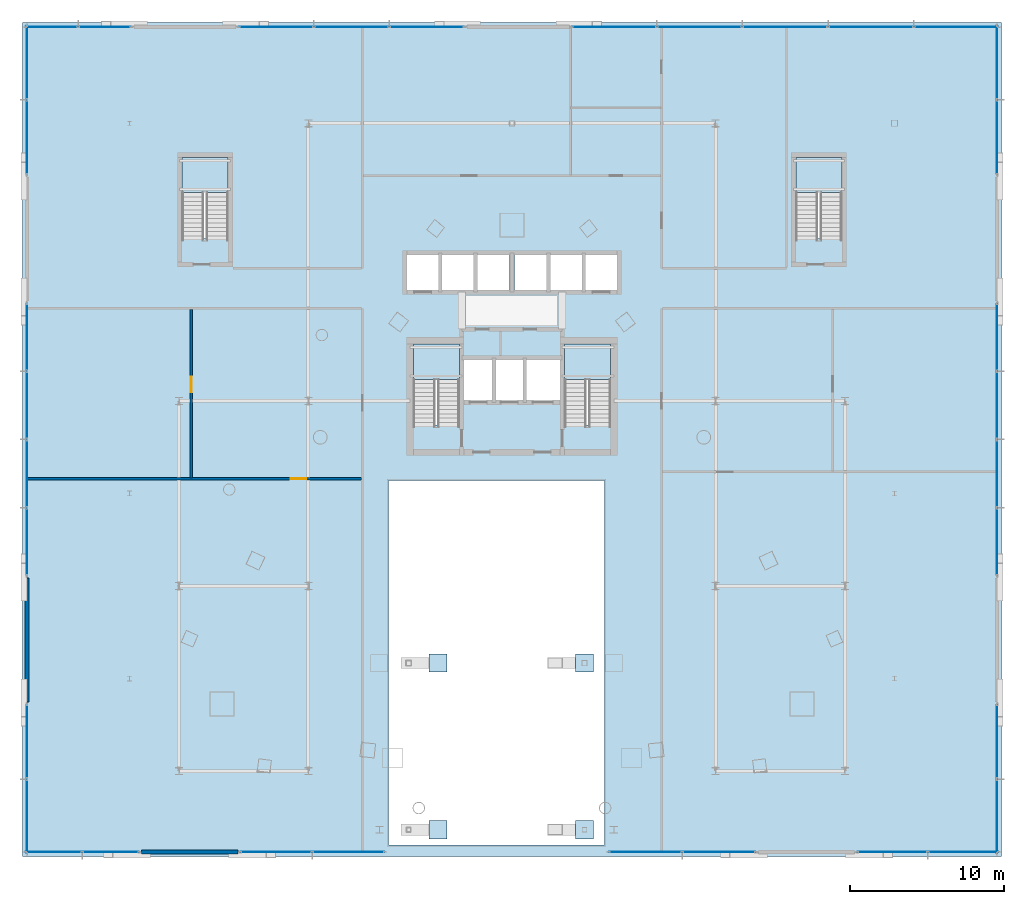
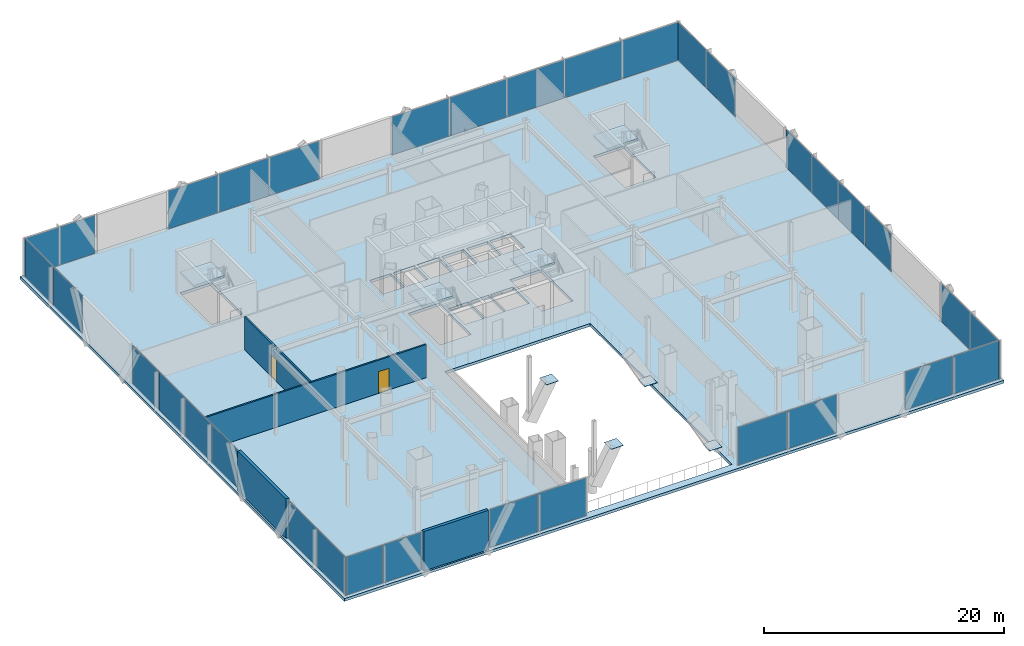
# One storey, part 32 of 42: 38 plates, 5 slabs, 4 walls, 2 doors, 2 openings, 17 elements without a shape of their own.
"""IFC4 building model written with IfcOpenShell, lengths in metres."""

from ifc_helpers import new_model, si_unit, direction, frame, frame_2d, origin, origin_2d, place, context, subcontext, project, spatial, polyline, rectangle, outline, extrude, material, layer, layer_set, type_object, element, fill, aggregate, save


model = new_model("IFC4")

# Units and contexts
model_context = context("Model", 3, precision=1e-05, world=origin(), true_north=direction((0.0, 1.0)))
body_context = subcontext(model_context, "Body", "Model", "MODEL_VIEW")
ifc_project = project(units=[si_unit("LENGTHUNIT", "METRE"), si_unit("AREAUNIT", "SQUARE_METRE"), si_unit("VOLUMEUNIT", "CUBIC_METRE"), si_unit("PLANEANGLEUNIT", "RADIAN"), si_unit("MASSUNIT", "GRAM", prefix="KILO")], contexts=[model_context])

# Site, building, storey
site_placement = place(None, origin())
site = spatial("IfcSite", under=ifc_project, at=site_placement, CompositionType="ELEMENT")
building_placement = place(site_placement, origin())
building = spatial("IfcBuilding", under=site, at=building_placement, Name="Orvanel Arch Residences", CompositionType="ELEMENT")
storey_placement = place(building_placement, frame((0.0, 0.0, 5.5)))
storey = spatial("IfcBuildingStorey", under=building, at=storey_placement, Name="L01", CompositionType="ELEMENT", Elevation=5.5)

# Plates
ifc_material_1 = material(Name="Structural steel AS/NZS 3678 Grade 350", Category="steel")
ifc_layer_1 = layer(ifc_material_1, 0.028076171875)
ifc_layer_set_1 = layer_set([ifc_layer_1], Name="Structural steel AS/NZS 3678 Grade 350")
plate_type_1 = type_object("IfcPlateType", Name="PL-CAP-28", PredefinedType="SHEET", material=ifc_layer_set_1)
for number, where, z_axis, x_axis, name in (
    (1, (28.199951171875, 13.0, 5.2490234375), (0.0, 0.0, 1.0), (1.0, 0.0, 0.0), "L01 hollow member end cap plate"),
    (2, (37.699951171875, 13.0, 1.76416015625), (0.0, 0.0, 1.0), (1.0, 0.0, 0.0), "L01 hollow member end cap plate"),
):
    element("IfcPlate", number, at=place(storey_placement, frame(where, z_axis=z_axis, x_axis=x_axis)), inside=storey, type_object=plate_type_1, Name=name, PredefinedType="SHEET", context=body_context, shape_type="SweptSolid", body=[
        extrude(rectangle(XDim=1.179931640625, YDim=1.179931640625, at=origin_2d()), origin(), (0.0, 0.0, 1.0), 0.028076171875),
    ])
ifc_layer_2 = layer(ifc_material_1, 0.031982421875)
ifc_layer_set_2 = layer_set([ifc_layer_2], Name="Structural steel AS/NZS 3678 Grade 350")
plate_type_2 = type_object("IfcPlateType", Name="PL-CAP-32", PredefinedType="SHEET", material=ifc_layer_set_2)
for number, where, z_axis, x_axis, name in (
    (3, (28.199951171875, 2.199951171875, 5.2470703125), (0.0, 0.0, 1.0), (1.0, 0.0, 0.0), "L01 hollow member end cap plate"),
    (4, (37.699951171875, 2.199951171875, 1.76220703125), (0.0, 0.0, 1.0), (1.0, 0.0, 0.0), "L01 hollow member end cap plate"),
):
    element("IfcPlate", number, at=place(storey_placement, frame(where, z_axis=z_axis, x_axis=x_axis)), inside=storey, type_object=plate_type_2, Name=name, PredefinedType="SHEET", context=body_context, shape_type="SweptSolid", body=[
        extrude(rectangle(XDim=1.179931640625, YDim=1.179931640625, at=origin_2d()), origin(), (0.0, 0.0, 1.0), 0.031982421875),
    ])

# Curtain wall, plates
ifc_material_2 = material(Name="Bronze-anodised aluminium AA6063-T6", Category="aluminium")
ifc_layer_3 = layer(ifc_material_2, 0.199951171875)
ifc_layer_set_3 = layer_set([ifc_layer_3], Name="Bronze-anodised aluminium AA6063-T6")
curtain_wall_type = type_object("IfcCurtainWallType", Name="CW1-POD-SYS", PredefinedType="NOTDEFINED", material=ifc_layer_set_3)
curtain_wall_1_placement = place(storey_placement, origin())
curtain_wall_1 = element("IfcCurtainWall", 5, at=curtain_wall_1_placement, inside=storey, type_object=curtain_wall_type, Name="L01 CW1-POD-SYS Unitised Curtain Wall", PredefinedType="NOTDEFINED")
ifc_material_3 = material(Name="Double-glazed solar-control low-E safety glass", Category="glass")
ifc_layer_4 = layer(ifc_material_3, 0.031982421875)
ifc_layer_set_4 = layer_set([ifc_layer_4], Name="Double-glazed solar-control low-E safety glass")
plate_type_3 = type_object("IfcPlateType", Name="PNL-GLZ-32", PredefinedType="CURTAIN_PANEL", material=ifc_layer_set_4)
plate_1_placement = place(storey_placement, frame((3.291259765625, 0.75, 0.06494140625), z_axis=(0.0, 0.0, 1.0), x_axis=(1.0, 0.0, 0.0)))
plate_1 = element("IfcPlate", 6, at=plate_1_placement, type_object=plate_type_3, Name="CW-S1 panel 1.1", PredefinedType="CURTAIN_PANEL", context=body_context, shape_type="SweptSolid", body=[
    extrude(rectangle(XDim=3.612548828125, YDim=0.031982421875, at=origin_2d()), origin(), (0.0, 0.0, 1.0), 3.889892578125),
])
plate_2_placement = place(storey_placement, frame((6.978759765625, 0.75, 0.06494140625), z_axis=(0.0, 0.0, 1.0), x_axis=(1.0, 0.0, 0.0)))
plate_2 = element("IfcPlate", 7, at=plate_2_placement, type_object=plate_type_3, Name="CW-S1 panel 2.1", PredefinedType="CURTAIN_PANEL", context=body_context, shape_type="SweptSolid", body=[
    extrude(rectangle(XDim=3.612548828125, YDim=0.031982421875, at=origin_2d()), origin(), (0.0, 0.0, 1.0), 3.889892578125),
])
aggregate(curtain_wall_1, [plate_1, plate_2])

curtain_wall_2_placement = place(storey_placement, origin())
curtain_wall_2 = element("IfcCurtainWall", 8, at=curtain_wall_2_placement, inside=storey, type_object=curtain_wall_type, Name="L01 CW1-POD-SYS Unitised Curtain Wall", PredefinedType="NOTDEFINED")
plate_3_placement = place(storey_placement, frame((17.71875, 0.75, 0.06494140625), z_axis=(0.0, 0.0, 1.0), x_axis=(1.0, 0.0, 0.0)))
plate_3 = element("IfcPlate", 9, at=plate_3_placement, type_object=plate_type_3, Name="CW-S1 panel 1.1", PredefinedType="CURTAIN_PANEL", context=body_context, shape_type="SweptSolid", body=[
    extrude(rectangle(XDim=4.607421875, YDim=0.031982421875, at=origin_2d()), origin(), (0.0, 0.0, 1.0), 3.889892578125),
])
plate_4_placement = place(storey_placement, frame((22.4013671875, 0.75, 0.06494140625), z_axis=(0.0, 0.0, 1.0), x_axis=(1.0, 0.0, 0.0)))
plate_4 = element("IfcPlate", 10, at=plate_4_placement, type_object=plate_type_3, Name="CW-S1 panel 2.1", PredefinedType="CURTAIN_PANEL", context=body_context, shape_type="SweptSolid", body=[
    extrude(rectangle(XDim=4.607421875, YDim=0.031982421875, at=origin_2d()), origin(), (0.0, 0.0, 1.0), 3.889892578125),
])
aggregate(curtain_wall_2, [plate_3, plate_4])

curtain_wall_3_placement = place(storey_placement, origin())
curtain_wall_3 = element("IfcCurtainWall", 11, at=curtain_wall_3_placement, inside=storey, type_object=curtain_wall_type, Name="L01 CW1-POD-SYS Unitised Curtain Wall", PredefinedType="NOTDEFINED")
plate_5_placement = place(storey_placement, frame((41.648681640625, 0.75, 0.06494140625), z_axis=(0.0, 0.0, 1.0), x_axis=(1.0, 0.0, 0.0)))
plate_5 = element("IfcPlate", 12, at=plate_5_placement, type_object=plate_type_3, Name="CW-S1 panel 1.1", PredefinedType="CURTAIN_PANEL", context=body_context, shape_type="SweptSolid", body=[
    extrude(rectangle(XDim=4.70751953125, YDim=0.031982421875, at=origin_2d()), origin(), (0.0, 0.0, 1.0), 3.889892578125),
])
plate_6_placement = place(storey_placement, frame((46.43115234375, 0.75, 0.06494140625), z_axis=(0.0, 0.0, 1.0), x_axis=(1.0, 0.0, 0.0)))
plate_6 = element("IfcPlate", 13, at=plate_6_placement, type_object=plate_type_3, Name="CW-S1 panel 2.1", PredefinedType="CURTAIN_PANEL", context=body_context, shape_type="SweptSolid", body=[
    extrude(rectangle(XDim=4.70751953125, YDim=0.031982421875, at=origin_2d()), origin(), (0.0, 0.0, 1.0), 3.889892578125),
])
aggregate(curtain_wall_3, [plate_5, plate_6])

curtain_wall_4_placement = place(storey_placement, origin())
curtain_wall_4 = element("IfcCurtainWall", 14, at=curtain_wall_4_placement, inside=storey, type_object=curtain_wall_type, Name="L01 CW1-POD-SYS Unitised Curtain Wall", PredefinedType="NOTDEFINED")
plate_7_placement = place(storey_placement, frame((57.671142578125, 0.75, 0.06494140625), z_axis=(0.0, 0.0, 1.0), x_axis=(1.0, 0.0, 0.0)))
plate_7 = element("IfcPlate", 15, at=plate_7_placement, type_object=plate_type_3, Name="CW-S1 panel 1.1", PredefinedType="CURTAIN_PANEL", context=body_context, shape_type="SweptSolid", body=[
    extrude(rectangle(XDim=4.512451171875, YDim=0.031982421875, at=origin_2d()), origin(), (0.0, 0.0, 1.0), 3.889892578125),
])
plate_8_placement = place(storey_placement, frame((62.2587890625, 0.75, 0.06494140625), z_axis=(0.0, 0.0, 1.0), x_axis=(1.0, 0.0, 0.0)))
plate_8 = element("IfcPlate", 16, at=plate_8_placement, type_object=plate_type_3, Name="CW-S1 panel 2.1", PredefinedType="CURTAIN_PANEL", context=body_context, shape_type="SweptSolid", body=[
    extrude(rectangle(XDim=4.512451171875, YDim=0.031982421875, at=origin_2d()), origin(), (0.0, 0.0, 1.0), 3.889892578125),
])
aggregate(curtain_wall_4, [plate_7, plate_8])

curtain_wall_5_placement = place(storey_placement, origin())
curtain_wall_5 = element("IfcCurtainWall", 17, at=curtain_wall_5_placement, inside=storey, type_object=curtain_wall_type, Name="L01 CW1-POD-SYS Unitised Curtain Wall", PredefinedType="NOTDEFINED")
plate_9_placement = place(storey_placement, frame((61.796142578125, 54.25, 0.06494140625), z_axis=(0.0, 0.0, 1.0), x_axis=(-1.0, 0.0, 0.0)))
plate_9 = element("IfcPlate", 18, at=plate_9_placement, type_object=plate_type_3, Name="CW-S1 panel 1.1", PredefinedType="CURTAIN_PANEL", context=body_context, shape_type="SweptSolid", body=[
    extrude(rectangle(XDim=5.4375, YDim=0.031982421875, at=origin_2d()), origin(), (0.0, 0.0, 1.0), 3.889892578125),
])
plate_10_placement = place(storey_placement, frame((56.264892578125, 54.25, 0.06494140625), z_axis=(0.0, 0.0, 1.0), x_axis=(-1.0, 0.0, 0.0)))
plate_10 = element("IfcPlate", 19, at=plate_10_placement, type_object=plate_type_3, Name="CW-S1 panel 2.1", PredefinedType="CURTAIN_PANEL", context=body_context, shape_type="SweptSolid", body=[
    extrude(rectangle(XDim=5.47509765625, YDim=0.031982421875, at=origin_2d()), origin(), (0.0, 0.0, 1.0), 3.889892578125),
])
plate_11_placement = place(storey_placement, frame((50.715087890625, 54.25, 0.06494140625), z_axis=(0.0, 0.0, 1.0), x_axis=(-1.0, 0.0, 0.0)))
plate_11 = element("IfcPlate", 20, at=plate_11_placement, type_object=plate_type_3, Name="CW-S1 panel 3.1", PredefinedType="CURTAIN_PANEL", context=body_context, shape_type="SweptSolid", body=[
    extrude(rectangle(XDim=5.47509765625, YDim=0.031982421875, at=origin_2d()), origin(), (0.0, 0.0, 1.0), 3.889892578125),
])
plate_12_placement = place(storey_placement, frame((45.1650390625, 54.25, 0.06494140625), z_axis=(0.0, 0.0, 1.0), x_axis=(-1.0, 0.0, 0.0)))
plate_12 = element("IfcPlate", 21, at=plate_12_placement, type_object=plate_type_3, Name="CW-S1 panel 4.1", PredefinedType="CURTAIN_PANEL", context=body_context, shape_type="SweptSolid", body=[
    extrude(rectangle(XDim=5.47509765625, YDim=0.031982421875, at=origin_2d()), origin(), (0.0, 0.0, 1.0), 3.889892578125),
])
plate_13_placement = place(storey_placement, frame((39.6337890625, 54.25, 0.06494140625), z_axis=(0.0, 0.0, 1.0), x_axis=(-1.0, 0.0, 0.0)))
plate_13 = element("IfcPlate", 22, at=plate_13_placement, type_object=plate_type_3, Name="CW-S1 panel 5.1", PredefinedType="CURTAIN_PANEL", context=body_context, shape_type="SweptSolid", body=[
    extrude(rectangle(XDim=5.4375, YDim=0.031982421875, at=origin_2d()), origin(), (0.0, 0.0, 1.0), 3.889892578125),
])
aggregate(curtain_wall_5, [plate_9, plate_10, plate_11, plate_12, plate_13])

curtain_wall_6_placement = place(storey_placement, origin())
curtain_wall_6 = element("IfcCurtainWall", 23, at=curtain_wall_6_placement, inside=storey, type_object=curtain_wall_type, Name="L01 CW1-POD-SYS Unitised Curtain Wall", PredefinedType="NOTDEFINED")
plate_14_placement = place(storey_placement, frame((27.488037109375, 54.25, 0.06494140625), z_axis=(0.0, 0.0, 1.0), x_axis=(-1.0, 0.0, 0.0)))
plate_14 = element("IfcPlate", 24, at=plate_14_placement, type_object=plate_type_3, Name="CW-S1 panel 1.1", PredefinedType="CURTAIN_PANEL", context=body_context, shape_type="SweptSolid", body=[
    extrude(rectangle(XDim=4.794189453125, YDim=0.031982421875, at=origin_2d()), origin(), (0.0, 0.0, 1.0), 3.889892578125),
])
plate_15_placement = place(storey_placement, frame((22.60009765625, 54.25, 0.06494140625), z_axis=(0.0, 0.0, 1.0), x_axis=(-1.0, 0.0, 0.0)))
plate_15 = element("IfcPlate", 25, at=plate_15_placement, type_object=plate_type_3, Name="CW-S1 panel 2.1", PredefinedType="CURTAIN_PANEL", context=body_context, shape_type="SweptSolid", body=[
    extrude(rectangle(XDim=4.831787109375, YDim=0.031982421875, at=origin_2d()), origin(), (0.0, 0.0, 1.0), 3.889892578125),
])
plate_16_placement = place(storey_placement, frame((17.712158203125, 54.25, 0.06494140625), z_axis=(0.0, 0.0, 1.0), x_axis=(-1.0, 0.0, 0.0)))
plate_16 = element("IfcPlate", 26, at=plate_16_placement, type_object=plate_type_3, Name="CW-S1 panel 3.1", PredefinedType="CURTAIN_PANEL", context=body_context, shape_type="SweptSolid", body=[
    extrude(rectangle(XDim=4.794189453125, YDim=0.031982421875, at=origin_2d()), origin(), (0.0, 0.0, 1.0), 3.889892578125),
])
aggregate(curtain_wall_6, [plate_14, plate_15, plate_16])

curtain_wall_7_placement = place(storey_placement, origin())
curtain_wall_7 = element("IfcCurtainWall", 27, at=curtain_wall_7_placement, inside=storey, type_object=curtain_wall_type, Name="L01 CW1-POD-SYS Unitised Curtain Wall", PredefinedType="NOTDEFINED")
plate_17_placement = place(storey_placement, frame((6.603759765625, 54.25, 0.06494140625), z_axis=(0.0, 0.0, 1.0), x_axis=(-1.0, 0.0, 0.0)))
plate_17 = element("IfcPlate", 28, at=plate_17_placement, type_object=plate_type_3, Name="CW-S1 panel 1.1", PredefinedType="CURTAIN_PANEL", context=body_context, shape_type="SweptSolid", body=[
    extrude(rectangle(XDim=3.362548828125, YDim=0.031982421875, at=origin_2d()), origin(), (0.0, 0.0, 1.0), 3.889892578125),
])
plate_18_placement = place(storey_placement, frame((3.166259765625, 54.25, 0.06494140625), z_axis=(0.0, 0.0, 1.0), x_axis=(-1.0, 0.0, 0.0)))
plate_18 = element("IfcPlate", 29, at=plate_18_placement, type_object=plate_type_3, Name="CW-S1 panel 2.1", PredefinedType="CURTAIN_PANEL", context=body_context, shape_type="SweptSolid", body=[
    extrude(rectangle(XDim=3.362548828125, YDim=0.031982421875, at=origin_2d()), origin(), (0.0, 0.0, 1.0), 3.889892578125),
])
aggregate(curtain_wall_7, [plate_17, plate_18])

curtain_wall_8_placement = place(storey_placement, origin())
curtain_wall_8 = element("IfcCurtainWall", 30, at=curtain_wall_8_placement, inside=storey, type_object=curtain_wall_type, Name="L01 CW1-POD-SYS Unitised Curtain Wall", PredefinedType="NOTDEFINED")
plate_19_placement = place(storey_placement, frame((64.449951171875, 3.066162109375, 0.06494140625), z_axis=(0.0, 0.0, 1.0), x_axis=(0.0, 1.0, 0.0)))
plate_19 = element("IfcPlate", 31, at=plate_19_placement, type_object=plate_type_3, Name="CW-S1 panel 1.1", PredefinedType="CURTAIN_PANEL", context=body_context, shape_type="SweptSolid", body=[
    extrude(rectangle(XDim=4.762451171875, YDim=0.031982421875, at=origin_2d()), origin(), (0.0, 0.0, 1.0), 3.889892578125),
])
plate_20_placement = place(storey_placement, frame((64.449951171875, 7.90380859375, 0.06494140625), z_axis=(0.0, 0.0, 1.0), x_axis=(0.0, 1.0, 0.0)))
plate_20 = element("IfcPlate", 32, at=plate_20_placement, type_object=plate_type_3, Name="CW-S1 panel 2.1", PredefinedType="CURTAIN_PANEL", context=body_context, shape_type="SweptSolid", body=[
    extrude(rectangle(XDim=4.762451171875, YDim=0.031982421875, at=origin_2d()), origin(), (0.0, 0.0, 1.0), 3.889892578125),
])
aggregate(curtain_wall_8, [plate_19, plate_20])

curtain_wall_9_placement = place(storey_placement, origin())
curtain_wall_9 = element("IfcCurtainWall", 33, at=curtain_wall_9_placement, inside=storey, type_object=curtain_wall_type, Name="L01 CW1-POD-SYS Unitised Curtain Wall", PredefinedType="NOTDEFINED")
plate_21_placement = place(storey_placement, frame((64.449951171875, 20.873779296875, 0.06494140625), z_axis=(0.0, 0.0, 1.0), x_axis=(0.0, 1.0, 0.0)))
plate_21 = element("IfcPlate", 34, at=plate_21_placement, type_object=plate_type_3, Name="CW-S1 panel 1.1", PredefinedType="CURTAIN_PANEL", context=body_context, shape_type="SweptSolid", body=[
    extrude(rectangle(XDim=4.3173828125, YDim=0.031982421875, at=origin_2d()), origin(), (0.0, 0.0, 1.0), 3.889892578125),
])
plate_22_placement = place(storey_placement, frame((64.449951171875, 25.284912109375, 0.06494140625), z_axis=(0.0, 0.0, 1.0), x_axis=(0.0, 1.0, 0.0)))
plate_22 = element("IfcPlate", 35, at=plate_22_placement, type_object=plate_type_3, Name="CW-S1 panel 2.1", PredefinedType="CURTAIN_PANEL", context=body_context, shape_type="SweptSolid", body=[
    extrude(rectangle(XDim=4.35498046875, YDim=0.031982421875, at=origin_2d()), origin(), (0.0, 0.0, 1.0), 3.889892578125),
])
plate_23_placement = place(storey_placement, frame((64.449951171875, 29.715087890625, 0.06494140625), z_axis=(0.0, 0.0, 1.0), x_axis=(0.0, 1.0, 0.0)))
plate_23 = element("IfcPlate", 36, at=plate_23_placement, type_object=plate_type_3, Name="CW-S1 panel 3.1", PredefinedType="CURTAIN_PANEL", context=body_context, shape_type="SweptSolid", body=[
    extrude(rectangle(XDim=4.35498046875, YDim=0.031982421875, at=origin_2d()), origin(), (0.0, 0.0, 1.0), 3.889892578125),
])
plate_24_placement = place(storey_placement, frame((64.449951171875, 34.126220703125, 0.06494140625), z_axis=(0.0, 0.0, 1.0), x_axis=(0.0, 1.0, 0.0)))
plate_24 = element("IfcPlate", 37, at=plate_24_placement, type_object=plate_type_3, Name="CW-S1 panel 4.1", PredefinedType="CURTAIN_PANEL", context=body_context, shape_type="SweptSolid", body=[
    extrude(rectangle(XDim=4.3173828125, YDim=0.031982421875, at=origin_2d()), origin(), (0.0, 0.0, 1.0), 3.889892578125),
])
aggregate(curtain_wall_9, [plate_21, plate_22, plate_23, plate_24])

curtain_wall_10_placement = place(storey_placement, origin())
curtain_wall_10 = element("IfcCurtainWall", 38, at=curtain_wall_10_placement, inside=storey, type_object=curtain_wall_type, Name="L01 CW1-POD-SYS Unitised Curtain Wall", PredefinedType="NOTDEFINED")
plate_25_placement = place(storey_placement, frame((64.449951171875, 47.09619140625, 0.06494140625), z_axis=(0.0, 0.0, 1.0), x_axis=(0.0, 1.0, 0.0)))
plate_25 = element("IfcPlate", 39, at=plate_25_placement, type_object=plate_type_3, Name="CW-S1 panel 1.1", PredefinedType="CURTAIN_PANEL", context=body_context, shape_type="SweptSolid", body=[
    extrude(rectangle(XDim=4.762451171875, YDim=0.031982421875, at=origin_2d()), origin(), (0.0, 0.0, 1.0), 3.889892578125),
])
plate_26_placement = place(storey_placement, frame((64.449951171875, 51.933837890625, 0.06494140625), z_axis=(0.0, 0.0, 1.0), x_axis=(0.0, 1.0, 0.0)))
plate_26 = element("IfcPlate", 40, at=plate_26_placement, type_object=plate_type_3, Name="CW-S1 panel 2.1", PredefinedType="CURTAIN_PANEL", context=body_context, shape_type="SweptSolid", body=[
    extrude(rectangle(XDim=4.762451171875, YDim=0.031982421875, at=origin_2d()), origin(), (0.0, 0.0, 1.0), 3.889892578125),
])
aggregate(curtain_wall_10, [plate_25, plate_26])

curtain_wall_11_placement = place(storey_placement, origin())
curtain_wall_11 = element("IfcCurtainWall", 41, at=curtain_wall_11_placement, inside=storey, type_object=curtain_wall_type, Name="L01 CW1-POD-SYS Unitised Curtain Wall", PredefinedType="NOTDEFINED")
plate_27_placement = place(storey_placement, frame((1.550048828125, 7.90380859375, 0.06494140625), z_axis=(0.0, 0.0, 1.0), x_axis=(0.0, -1.0, 0.0)))
plate_27 = element("IfcPlate", 42, at=plate_27_placement, type_object=plate_type_3, Name="CW-S1 panel 1.1", PredefinedType="CURTAIN_PANEL", context=body_context, shape_type="SweptSolid", body=[
    extrude(rectangle(XDim=4.762451171875, YDim=0.031982421875, at=origin_2d()), origin(), (0.0, 0.0, 1.0), 3.889892578125),
])
plate_28_placement = place(storey_placement, frame((1.550048828125, 3.066162109375, 0.06494140625), z_axis=(0.0, 0.0, 1.0), x_axis=(0.0, -1.0, 0.0)))
plate_28 = element("IfcPlate", 43, at=plate_28_placement, type_object=plate_type_3, Name="CW-S1 panel 2.1", PredefinedType="CURTAIN_PANEL", context=body_context, shape_type="SweptSolid", body=[
    extrude(rectangle(XDim=4.762451171875, YDim=0.031982421875, at=origin_2d()), origin(), (0.0, 0.0, 1.0), 3.889892578125),
])
aggregate(curtain_wall_11, [plate_27, plate_28])

curtain_wall_12_placement = place(storey_placement, origin())
curtain_wall_12 = element("IfcCurtainWall", 44, at=curtain_wall_12_placement, inside=storey, type_object=curtain_wall_type, Name="L01 CW1-POD-SYS Unitised Curtain Wall", PredefinedType="NOTDEFINED")
plate_29_placement = place(storey_placement, frame((1.550048828125, 34.126220703125, 0.06494140625), z_axis=(0.0, 0.0, 1.0), x_axis=(0.0, -1.0, 0.0)))
plate_29 = element("IfcPlate", 45, at=plate_29_placement, type_object=plate_type_3, Name="CW-S1 panel 1.1", PredefinedType="CURTAIN_PANEL", context=body_context, shape_type="SweptSolid", body=[
    extrude(rectangle(XDim=4.3173828125, YDim=0.031982421875, at=origin_2d()), origin(), (0.0, 0.0, 1.0), 3.889892578125),
])
plate_30_placement = place(storey_placement, frame((1.550048828125, 29.715087890625, 0.06494140625), z_axis=(0.0, 0.0, 1.0), x_axis=(0.0, -1.0, 0.0)))
plate_30 = element("IfcPlate", 46, at=plate_30_placement, type_object=plate_type_3, Name="CW-S1 panel 2.1", PredefinedType="CURTAIN_PANEL", context=body_context, shape_type="SweptSolid", body=[
    extrude(rectangle(XDim=4.35498046875, YDim=0.031982421875, at=origin_2d()), origin(), (0.0, 0.0, 1.0), 3.889892578125),
])
plate_31_placement = place(storey_placement, frame((1.550048828125, 25.284912109375, 0.06494140625), z_axis=(0.0, 0.0, 1.0), x_axis=(0.0, -1.0, 0.0)))
plate_31 = element("IfcPlate", 47, at=plate_31_placement, type_object=plate_type_3, Name="CW-S1 panel 3.1", PredefinedType="CURTAIN_PANEL", context=body_context, shape_type="SweptSolid", body=[
    extrude(rectangle(XDim=4.35498046875, YDim=0.031982421875, at=origin_2d()), origin(), (0.0, 0.0, 1.0), 3.889892578125),
])
plate_32_placement = place(storey_placement, frame((1.550048828125, 20.873779296875, 0.06494140625), z_axis=(0.0, 0.0, 1.0), x_axis=(0.0, -1.0, 0.0)))
plate_32 = element("IfcPlate", 48, at=plate_32_placement, type_object=plate_type_3, Name="CW-S1 panel 4.1", PredefinedType="CURTAIN_PANEL", context=body_context, shape_type="SweptSolid", body=[
    extrude(rectangle(XDim=4.3173828125, YDim=0.031982421875, at=origin_2d()), origin(), (0.0, 0.0, 1.0), 3.889892578125),
])
aggregate(curtain_wall_12, [plate_29, plate_30, plate_31, plate_32])

curtain_wall_13_placement = place(storey_placement, origin())
curtain_wall_13 = element("IfcCurtainWall", 49, at=curtain_wall_13_placement, inside=storey, type_object=curtain_wall_type, Name="L01 CW1-POD-SYS Unitised Curtain Wall", PredefinedType="NOTDEFINED")
plate_33_placement = place(storey_placement, frame((1.550048828125, 51.933837890625, 0.06494140625), z_axis=(0.0, 0.0, 1.0), x_axis=(0.0, -1.0, 0.0)))
plate_33 = element("IfcPlate", 50, at=plate_33_placement, type_object=plate_type_3, Name="CW-S1 panel 1.1", PredefinedType="CURTAIN_PANEL", context=body_context, shape_type="SweptSolid", body=[
    extrude(rectangle(XDim=4.762451171875, YDim=0.031982421875, at=origin_2d()), origin(), (0.0, 0.0, 1.0), 3.889892578125),
])
plate_34_placement = place(storey_placement, frame((1.550048828125, 47.09619140625, 0.06494140625), z_axis=(0.0, 0.0, 1.0), x_axis=(0.0, -1.0, 0.0)))
plate_34 = element("IfcPlate", 51, at=plate_34_placement, type_object=plate_type_3, Name="CW-S1 panel 2.1", PredefinedType="CURTAIN_PANEL", context=body_context, shape_type="SweptSolid", body=[
    extrude(rectangle(XDim=4.762451171875, YDim=0.031982421875, at=origin_2d()), origin(), (0.0, 0.0, 1.0), 3.889892578125),
])
aggregate(curtain_wall_13, [plate_33, plate_34])

# Stair, slab
ifc_material_4 = material(Name="Precast concrete N50 (50 MPa)", Category="concrete")
stair_type = type_object("IfcStairType", Name="STR-DOG-178", PredefinedType="USERDEFINED", material=ifc_material_4)
stair_1_placement = place(storey_placement, origin())
stair_1 = element("IfcStair", 52, at=stair_1_placement, inside=storey, type_object=stair_type, Name="L01 Fire-Isolated Core Exit Stair 1", ObjectType="TWO_RETURN_STAIR", PredefinedType="USERDEFINED")
ifc_material_5 = material(Name="Concrete N40 (40 MPa)", Category="concrete")
ifc_layer_5 = layer(ifc_material_5, 0.199951171875)
ifc_layer_set_5 = layer_set([ifc_layer_5], Name="Concrete N40 (40 MPa)")
slab_type_1 = type_object("IfcSlabType", Name="SLB-LND-200", PredefinedType="LANDING", material=ifc_layer_set_5)
slab_1_placement = place(storey_placement, frame((0.0, 0.0, 1.949951171875)))
slab_1 = element("IfcSlab", 53, at=slab_1_placement, type_object=slab_type_1, Name="ST-1 landing 1", PredefinedType="LANDING", context=body_context, shape_type="SweptSolid", body=[
    extrude(outline(polyline([(29.60009765625, 31.39990234375), (29.60009765625, 33.699951171875), (26.60009765625, 33.699951171875), (26.60009765625, 31.39990234375), (29.60009765625, 31.39990234375)])), origin(), (0.0, 0.0, 1.0), 0.199951171875),
])
aggregate(stair_1, [slab_1])

stair_2_placement = place(storey_placement, origin())
stair_2 = element("IfcStair", 54, at=stair_2_placement, inside=storey, type_object=stair_type, Name="L01 Fire-Isolated Core Exit Stair 2", ObjectType="TWO_RETURN_STAIR", PredefinedType="USERDEFINED")
slab_2_placement = place(storey_placement, frame((0.0, 0.0, 1.949951171875)))
slab_2 = element("IfcSlab", 55, at=slab_2_placement, type_object=slab_type_1, Name="ST-2 landing 1", PredefinedType="LANDING", context=body_context, shape_type="SweptSolid", body=[
    extrude(outline(polyline([(39.39990234375, 31.39990234375), (39.39990234375, 33.699951171875), (36.39990234375, 33.699951171875), (36.39990234375, 31.39990234375), (39.39990234375, 31.39990234375)])), origin(), (0.0, 0.0, 1.0), 0.199951171875),
])
aggregate(stair_2, [slab_2])

stair_3_placement = place(storey_placement, origin())
stair_3 = element("IfcStair", 56, at=stair_3_placement, inside=storey, type_object=stair_type, Name="L01 West Podium Fire-Isolated Exit Stair 3", ObjectType="TWO_RETURN_STAIR", PredefinedType="USERDEFINED")
slab_3_placement = place(storey_placement, frame((0.0, 0.0, 1.949951171875)))
slab_3 = element("IfcSlab", 57, at=slab_3_placement, type_object=slab_type_1, Name="ST-3 landing 1", PredefinedType="LANDING", context=body_context, shape_type="SweptSolid", body=[
    extrude(outline(polyline([(14.60009765625, 43.5), (14.60009765625, 45.800048828125), (11.60009765625, 45.800048828125), (11.60009765625, 43.5), (14.60009765625, 43.5)])), origin(), (0.0, 0.0, 1.0), 0.199951171875),
])
aggregate(stair_3, [slab_3])

stair_4_placement = place(storey_placement, origin())
stair_4 = element("IfcStair", 58, at=stair_4_placement, inside=storey, type_object=stair_type, Name="L01 East Podium Fire-Isolated Exit Stair 4", ObjectType="TWO_RETURN_STAIR", PredefinedType="USERDEFINED")
slab_4_placement = place(storey_placement, frame((0.0, 0.0, 1.949951171875)))
slab_4 = element("IfcSlab", 59, at=slab_4_placement, type_object=slab_type_1, Name="ST-4 landing 1", PredefinedType="LANDING", context=body_context, shape_type="SweptSolid", body=[
    extrude(outline(polyline([(54.39990234375, 43.5), (54.39990234375, 45.800048828125), (51.39990234375, 45.800048828125), (51.39990234375, 43.5), (54.39990234375, 43.5)])), origin(), (0.0, 0.0, 1.0), 0.199951171875),
])
aggregate(stair_4, [slab_4])

# Slab
ifc_layer_6 = layer(ifc_material_5, 0.280029296875)
ifc_layer_set_6 = layer_set([ifc_layer_6], Name="Concrete N40 (40 MPa)")
slab_type_2 = type_object("IfcSlabType", Name="SLB-POD-280", PredefinedType="FLOOR", material=ifc_layer_set_6)
slab_5_placement = place(storey_placement, frame((0.0, 0.0, -0.280029296875)))
element("IfcSlab", 60, at=slab_5_placement, inside=storey, type_object=slab_type_2, Name="L01 Podium Floor Slab", PredefinedType="FLOOR", context=body_context, shape_type="SweptSolid", body=[
    extrude(outline(polyline([(1.25, 0.449951171875), (64.75, 0.449951171875), (64.75, 54.550048828125), (1.25, 54.550048828125), (1.25, 0.449951171875)]), holes=[polyline([(26.60009765625, 28.429931640625), (26.60009765625, 33.699951171875), (29.60009765625, 33.699951171875), (29.60009765625, 28.429931640625), (26.60009765625, 28.429931640625)]), polyline([(36.39990234375, 28.429931640625), (36.39990234375, 33.699951171875), (39.39990234375, 33.699951171875), (39.39990234375, 28.429931640625), (36.39990234375, 28.429931640625)]), polyline([(11.60009765625, 40.530029296875), (11.60009765625, 45.800048828125), (14.60009765625, 45.800048828125), (14.60009765625, 40.530029296875), (11.60009765625, 40.530029296875)]), polyline([(51.39990234375, 40.530029296875), (51.39990234375, 45.800048828125), (54.39990234375, 45.800048828125), (54.39990234375, 40.530029296875), (51.39990234375, 40.530029296875)]), polyline([(29.89990234375, 32.64990234375), (31.75, 32.64990234375), (31.75, 29.949951171875), (29.89990234375, 29.949951171875), (29.89990234375, 32.64990234375)]), polyline([(31.89990234375, 32.64990234375), (33.75, 32.64990234375), (33.75, 29.949951171875), (31.89990234375, 29.949951171875), (31.89990234375, 32.64990234375)]), polyline([(33.89990234375, 32.64990234375), (36.10009765625, 32.64990234375), (36.10009765625, 29.949951171875), (33.89990234375, 29.949951171875), (33.89990234375, 32.64990234375)]), polyline([(26.199951171875, 39.449951171875), (28.25, 39.449951171875), (28.25, 37.199951171875), (26.199951171875, 37.199951171875), (26.199951171875, 39.449951171875)]), polyline([(37.75, 39.449951171875), (39.800048828125, 39.449951171875), (39.800048828125, 37.199951171875), (37.75, 37.199951171875), (37.75, 39.449951171875)]), polyline([(28.449951171875, 39.449951171875), (30.5, 39.449951171875), (30.5, 37.199951171875), (28.449951171875, 37.199951171875), (28.449951171875, 39.449951171875)]), polyline([(35.5, 39.449951171875), (37.550048828125, 39.449951171875), (37.550048828125, 37.199951171875), (35.5, 37.199951171875), (35.5, 39.449951171875)]), polyline([(30.75, 39.449951171875), (32.85009765625, 39.449951171875), (32.85009765625, 37.199951171875), (30.75, 37.199951171875), (30.75, 39.449951171875)]), polyline([(33.14990234375, 39.449951171875), (35.25, 39.449951171875), (35.25, 37.199951171875), (33.14990234375, 37.199951171875), (33.14990234375, 39.449951171875)]), polyline([(25.0, 24.85009765625), (39.0, 24.85009765625), (39.0, 1.199951171875), (25.0, 1.199951171875), (25.0, 24.85009765625)])]), origin(), (0.0, 0.0, 1.0), 0.280029296875),
])

# Walls
ifc_layer_7 = layer(ifc_material_4, 0.280029296875)
ifc_layer_set_7 = layer_set([ifc_layer_7], Name="Precast concrete N50 (50 MPa)")
wall_type_1 = type_object("IfcWallType", Name="EW-POD-280", PredefinedType="SOLIDWALL", material=ifc_layer_set_7)
wall_1_placement = place(storey_placement, frame((15.219970703125, 0.75, 0.0), z_axis=(0.0, 0.0, 1.0), x_axis=(-1.0, 0.0, 0.0)))
element("IfcWall", 61, at=wall_1_placement, inside=storey, type_object=wall_type_1, Name="L01 Podium Solid Spandrel Panel Wall SWP", PredefinedType="SOLIDWALL", context=body_context, shape_type="SweptSolid", body=[
    extrude(rectangle(XDim=6.239990234375, YDim=0.280029296875, at=frame_2d((3.1201171875, 0.0))), origin(), (0.0, 0.0, 1.0), 4.02001953125),
])
wall_2_placement = place(storey_placement, frame((1.550048828125, 18.52001953125, 0.0), z_axis=(0.0, 0.0, 1.0), x_axis=(0.0, -1.0, 0.0)))
element("IfcWall", 62, at=wall_2_placement, inside=storey, type_object=wall_type_1, Name="L01 Podium Solid W Panel Wall 1", PredefinedType="SOLIDWALL", context=body_context, shape_type="SweptSolid", body=[
    extrude(rectangle(XDim=8.0400390625, YDim=0.280029296875, at=frame_2d((4.02001953125, 0.0))), origin(), (0.0, 0.0, 1.0), 4.02001953125),
])

# Wall, opening, door
ifc_material_6 = material(Name="Acoustic plasterboard lined twin-stud partition", Category="gypsum")
ifc_layer_8 = layer(ifc_material_6, 0.14990234375)
ifc_layer_set_8 = layer_set([ifc_layer_8], Name="Acoustic plasterboard lined twin-stud partition")
wall_type_2 = type_object("IfcWallType", Name="W-POD-150", PredefinedType="PARTITIONING", material=ifc_layer_set_8)
wall_3_placement = place(storey_placement, frame((1.56494140625, 24.949951171875, 0.0), z_axis=(0.0, 0.0, 1.0), x_axis=(1.0, 0.0, 0.0)))
wall_3 = element("IfcWall", 63, at=wall_3_placement, inside=storey, type_object=wall_type_2, Name="L01 West Wing Split Wall", PredefinedType="PARTITIONING", context=body_context, shape_type="SweptSolid", body=[
    extrude(rectangle(XDim=21.675048828125, YDim=0.14990234375, at=frame_2d((10.83740234375, 0.0))), origin(), (0.0, 0.0, 1.0), 3.373046875),
])
opening_1_placement = place(wall_3_placement, frame((17.0849609375, 0.0, 0.0)))
opening_1 = element("IfcOpeningElement", 64, at=opening_1_placement, cuts=wall_3, Name="Opening DP-100", PredefinedType="OPENING", context=body_context, shape_type="SweptSolid", body=[
    extrude(rectangle(XDim=1.0, YDim=2.199951171875, at=frame_2d((0.5, 1.10009765625))), frame((0.0, 0.0849609375, 0.0), z_axis=(0.0, -1.0, 0.0), x_axis=(1.0, 0.0, 0.0)), (0.0, 0.0, 1.0), 0.169921875),
])
ifc_material_7 = material(Name="Solid-core European oak veneer fire door leaf", Category="wood")
door_type = type_object("IfcDoorType", Name="DR-POD-1000", OperationType="NOTDEFINED", PredefinedType="DOOR", material=ifc_material_7)
door_1_placement = place(opening_1_placement, origin())
door_1 = element("IfcDoor", 65, at=door_1_placement, inside=storey, type_object=door_type, Name="DR-L01-SWB L01 Health Administration Office Door", OperationType="SINGLE_SWING_LEFT", OverallHeight=2.199951171875, OverallWidth=1.0, PredefinedType="DOOR", context=body_context, shape_type="SweptSolid", body=[
    extrude(rectangle(XDim=1.0, YDim=2.199951171875, at=frame_2d((0.5, 1.10009765625))), frame((0.0, 0.02490234375, 0.0), z_axis=(0.0, -1.0, 0.0), x_axis=(1.0, 0.0, 0.0)), (0.0, 0.0, 1.0), 0.050048828125),
])
fill(opening_1, door_1)

wall_4_placement = place(storey_placement, frame((12.199951171875, 25.010009765625, 0.0), z_axis=(0.0, 0.0, 1.0), x_axis=(0.0, 1.0, 0.0)))
wall_4 = element("IfcWall", 66, at=wall_4_placement, inside=storey, type_object=wall_type_2, Name="L01 West Suite Inner Partition", PredefinedType="PARTITIONING", context=body_context, shape_type="SweptSolid", body=[
    extrude(rectangle(XDim=10.929931640625, YDim=0.14990234375, at=frame_2d((5.46484375, 0.0))), origin(), (0.0, 0.0, 1.0), 3.373046875),
])
opening_2_placement = place(wall_4_placement, frame((5.56298828125, 0.0, 0.0)))
opening_2 = element("IfcOpeningElement", 67, at=opening_2_placement, cuts=wall_4, Name="Opening DP-100", PredefinedType="OPENING", context=body_context, shape_type="SweptSolid", body=[
    extrude(rectangle(XDim=1.0, YDim=2.199951171875, at=frame_2d((0.5, 1.10009765625))), frame((0.0, 0.0849609375, 0.0), z_axis=(0.0, -1.0, 0.0), x_axis=(1.0, 0.0, 0.0)), (0.0, 0.0, 1.0), 0.169921875),
])
door_2_placement = place(opening_2_placement, origin())
door_2 = element("IfcDoor", 68, at=door_2_placement, inside=storey, type_object=door_type, Name="DR-L01-SWA2 L01 West Clinical Records Store Door", OperationType="SINGLE_SWING_LEFT", OverallHeight=2.199951171875, OverallWidth=1.0, PredefinedType="DOOR", context=body_context, shape_type="SweptSolid", body=[
    extrude(rectangle(XDim=1.0, YDim=2.199951171875, at=frame_2d((0.5, 1.10009765625))), frame((0.0, 0.02490234375, 0.0), z_axis=(0.0, -1.0, 0.0), x_axis=(1.0, 0.0, 0.0)), (0.0, 0.0, 1.0), 0.050048828125),
])
fill(opening_2, door_2)

save(model, "model.ifc")
